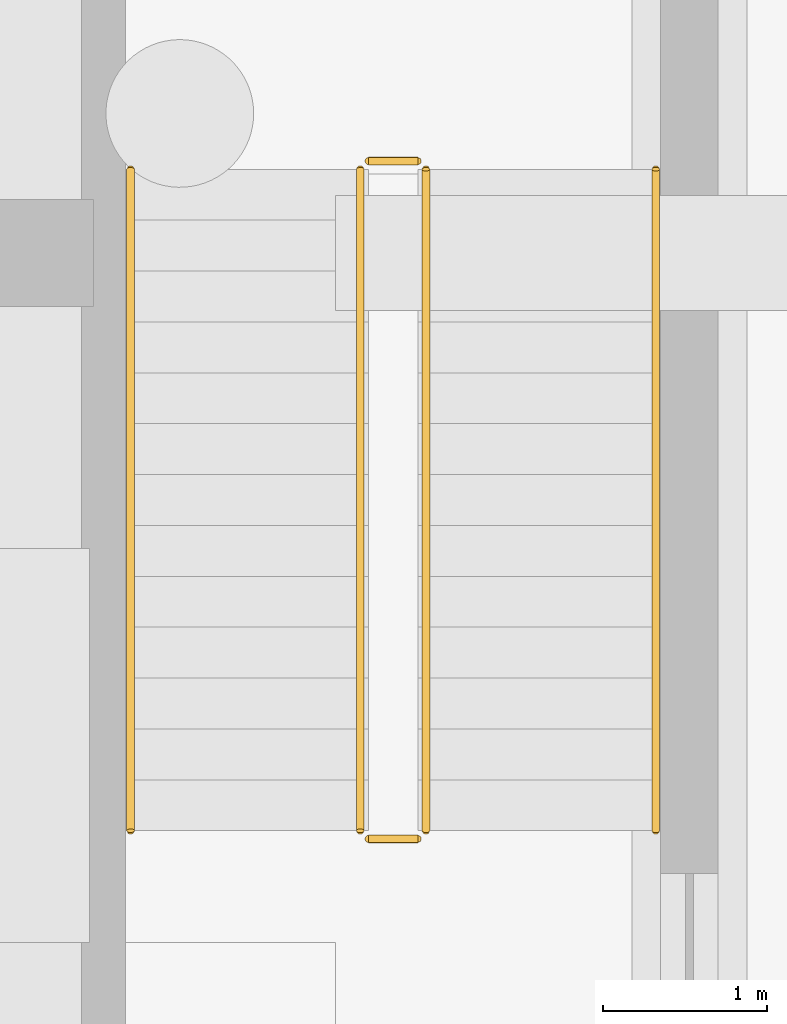
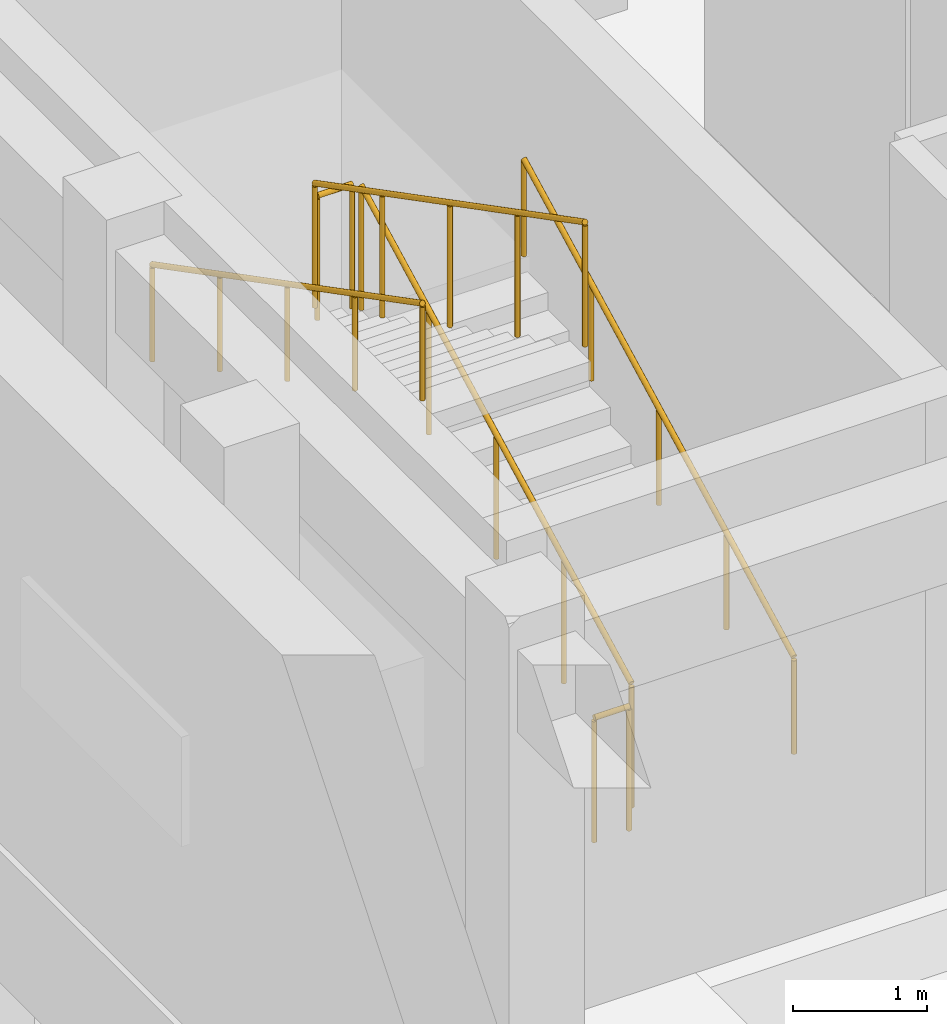
# One storey, part 13 of 14: 6 railings.
"""IFC4 building model written with IfcOpenShell, lengths in metres."""

from ifc_helpers import new_model, si_unit, direction, frame, origin, origin_2d, place, context, subcontext, project, spatial, circle, extrude, material, type_object, element, save


model = new_model("IFC4")

# Units and contexts
model_context = context("Model", 3, precision=1e-05, world=origin(), true_north=direction((0.0, 1.0)))
body_context = subcontext(model_context, "Body", "Model", "MODEL_VIEW")
ifc_project = project(units=[si_unit("LENGTHUNIT", "METRE"), si_unit("AREAUNIT", "SQUARE_METRE"), si_unit("VOLUMEUNIT", "CUBIC_METRE"), si_unit("PLANEANGLEUNIT", "RADIAN"), si_unit("MASSUNIT", "GRAM", prefix="KILO")], contexts=[model_context])

# Site, building, storey
site_placement = place(None, origin())
site = spatial("IfcSite", under=ifc_project, at=site_placement, CompositionType="ELEMENT")
building_placement = place(site_placement, origin())
building = spatial("IfcBuilding", under=site, at=building_placement, Name="Khoralis Quay Care Tower", CompositionType="ELEMENT")
storey_placement = place(building_placement, frame((0.0, 0.0, -4.5)))
storey = spatial("IfcBuildingStorey", under=building, at=storey_placement, Name="B1", CompositionType="ELEMENT", Elevation=-4.5)

# Railings
ifc_material = material(Name="Brushed stainless steel", Category="steel")
railing_type_1 = type_object("IfcRailingType", Name="RL-GUARD-1150", PredefinedType="GUARDRAIL", material=ifc_material)
railing_1_placement = place(storey_placement, frame((71.050048828125, 14.47998046875, 0.16064453125)))
element("IfcRailing", 1, at=railing_1_placement, inside=storey, type_object=railing_type_1, Name="B1 ST-S1 stair guard 1", PredefinedType="GUARDRAIL", context=body_context, shape_type="SweptSolid", body=[
    extrude(circle(Radius=0.02392578125, at=origin_2d()), frame((0.0, 0.0, 1.1259765625), z_axis=(0.0, 0.887780577991, 0.46026692836), x_axis=(-1.0, 0.0, 0.0)), (0.0, 0.0, 1.0), 4.53955078125),
    extrude(circle(Radius=0.02099609375, at=origin_2d()), origin(), (0.0, 0.0, 1.0), 1.101806640625),
    extrude(circle(Radius=0.02099609375, at=origin_2d()), frame((0.0, 1.007568359375, 0.5224609375)), (0.0, 0.0, 1.0), 1.101806640625),
    extrude(circle(Radius=0.02099609375, at=origin_2d()), frame((0.0, 2.01513671875, 1.044677734375)), (0.0, 0.0, 1.0), 1.101806640625),
    extrude(circle(Radius=0.02099609375, at=origin_2d()), frame((0.0, 3.0224609375, 1.56689453125)), (0.0, 0.0, 1.0), 1.101806640625),
    extrude(circle(Radius=0.02099609375, at=origin_2d()), frame((0.0, 4.030029296875, 2.08935546875)), (0.0, 0.0, 1.0), 1.101806640625),
])
railing_2_placement = place(storey_placement, frame((71.0, 18.56005859375, 2.25)))
element("IfcRailing", 2, at=railing_2_placement, inside=storey, type_object=railing_type_1, Name="B1 ST-S1 stair guard 2", PredefinedType="GUARDRAIL", context=body_context, shape_type="SweptSolid", body=[
    extrude(circle(Radius=0.02392578125, at=origin_2d()), frame((0.0, 0.0, 1.1259765625), z_axis=(-1.0, 0.0, 0.0), x_axis=(0.0, -1.0, 0.0)), (0.0, 0.0, 1.0), 0.300048828125),
    extrude(circle(Radius=0.02099609375, at=origin_2d()), origin(), (0.0, 0.0, 1.0), 1.101806640625),
    extrude(circle(Radius=0.02099609375, at=origin_2d()), frame((-0.300048828125, 0.0, 0.0)), (0.0, 0.0, 1.0), 1.101806640625),
])
railing_3_placement = place(storey_placement, frame((70.64990234375, 18.510009765625, 2.41064453125)))
element("IfcRailing", 3, at=railing_3_placement, inside=storey, type_object=railing_type_1, Name="B1 ST-S1 stair guard 3", PredefinedType="GUARDRAIL", context=body_context, shape_type="SweptSolid", body=[
    extrude(circle(Radius=0.02392578125, at=origin_2d()), frame((0.0, 0.0, 1.1259765625), z_axis=(0.0, -0.887780577991, 0.46026692836), x_axis=(1.0, 0.0, 0.0)), (0.0, 0.0, 1.0), 4.53955078125),
    extrude(circle(Radius=0.02099609375, at=origin_2d()), origin(), (0.0, 0.0, 1.0), 1.101806640625),
    extrude(circle(Radius=0.02099609375, at=origin_2d()), frame((0.0, -1.007568359375, 0.5224609375)), (0.0, 0.0, 1.0), 1.101806640625),
    extrude(circle(Radius=0.02099609375, at=origin_2d()), frame((0.0, -2.01513671875, 1.044677734375)), (0.0, 0.0, 1.0), 1.101806640625),
    extrude(circle(Radius=0.02099609375, at=origin_2d()), frame((0.0, -3.0224609375, 1.56689453125)), (0.0, 0.0, 1.0), 1.101806640625),
    extrude(circle(Radius=0.02099609375, at=origin_2d()), frame((0.0, -4.030029296875, 2.08935546875)), (0.0, 0.0, 1.0), 1.101806640625),
])
railing_4_placement = place(storey_placement, frame((71.0, 14.429931640625, 0.0)))
element("IfcRailing", 4, at=railing_4_placement, inside=storey, type_object=railing_type_1, Name="B1 ST-S1 stair guard 4", PredefinedType="GUARDRAIL", context=body_context, shape_type="SweptSolid", body=[
    extrude(circle(Radius=0.02392578125, at=origin_2d()), frame((0.0, 0.0, 1.1259765625), z_axis=(-1.0, 0.0, 0.0), x_axis=(0.0, -1.0, 0.0)), (0.0, 0.0, 1.0), 0.300048828125),
    extrude(circle(Radius=0.02099609375, at=origin_2d()), origin(), (0.0, 0.0, 1.0), 1.101806640625),
    extrude(circle(Radius=0.02099609375, at=origin_2d()), frame((-0.300048828125, 0.0, 0.0)), (0.0, 0.0, 1.0), 1.101806640625),
])
railing_type_2 = type_object("IfcRailingType", Name="RL-HAND-900", PredefinedType="HANDRAIL", material=ifc_material)
railing_5_placement = place(storey_placement, frame((72.449951171875, 14.47998046875, 0.16064453125)))
element("IfcRailing", 5, at=railing_5_placement, inside=storey, type_object=railing_type_2, Name="B1 ST-S1 stair handrail 1", PredefinedType="HANDRAIL", context=body_context, shape_type="SweptSolid", body=[
    extrude(circle(Radius=0.02392578125, at=origin_2d()), frame((0.0, 0.0, 0.8759765625), z_axis=(0.0, 0.887780577991, 0.46026692836), x_axis=(-1.0, 0.0, 0.0)), (0.0, 0.0, 1.0), 4.53955078125),
    extrude(circle(Radius=0.02099609375, at=origin_2d()), origin(), (0.0, 0.0, 1.0), 0.851806640625),
    extrude(circle(Radius=0.02099609375, at=origin_2d()), frame((0.0, 1.007568359375, 0.5224609375)), (0.0, 0.0, 1.0), 0.851806640625),
    extrude(circle(Radius=0.02099609375, at=origin_2d()), frame((0.0, 2.01513671875, 1.044677734375)), (0.0, 0.0, 1.0), 0.851806640625),
    extrude(circle(Radius=0.02099609375, at=origin_2d()), frame((0.0, 3.0224609375, 1.56689453125)), (0.0, 0.0, 1.0), 0.851806640625),
    extrude(circle(Radius=0.02099609375, at=origin_2d()), frame((0.0, 4.030029296875, 2.08935546875)), (0.0, 0.0, 1.0), 0.851806640625),
])
railing_6_placement = place(storey_placement, frame((69.25, 18.510009765625, 2.41064453125)))
element("IfcRailing", 6, at=railing_6_placement, inside=storey, type_object=railing_type_2, Name="B1 ST-S1 stair handrail 2", PredefinedType="HANDRAIL", context=body_context, shape_type="SweptSolid", body=[
    extrude(circle(Radius=0.02392578125, at=origin_2d()), frame((0.0, 0.0, 0.8759765625), z_axis=(0.0, -0.887780577991, 0.46026692836), x_axis=(1.0, 0.0, 0.0)), (0.0, 0.0, 1.0), 4.53955078125),
    extrude(circle(Radius=0.02099609375, at=origin_2d()), origin(), (0.0, 0.0, 1.0), 0.851806640625),
    extrude(circle(Radius=0.02099609375, at=origin_2d()), frame((0.0, -1.007568359375, 0.5224609375)), (0.0, 0.0, 1.0), 0.851806640625),
    extrude(circle(Radius=0.02099609375, at=origin_2d()), frame((0.0, -2.01513671875, 1.044677734375)), (0.0, 0.0, 1.0), 0.851806640625),
    extrude(circle(Radius=0.02099609375, at=origin_2d()), frame((0.0, -3.0224609375, 1.56689453125)), (0.0, 0.0, 1.0), 0.851806640625),
    extrude(circle(Radius=0.02099609375, at=origin_2d()), frame((0.0, -4.030029296875, 2.08935546875)), (0.0, 0.0, 1.0), 0.851806640625),
])

save(model, "model.ifc")
